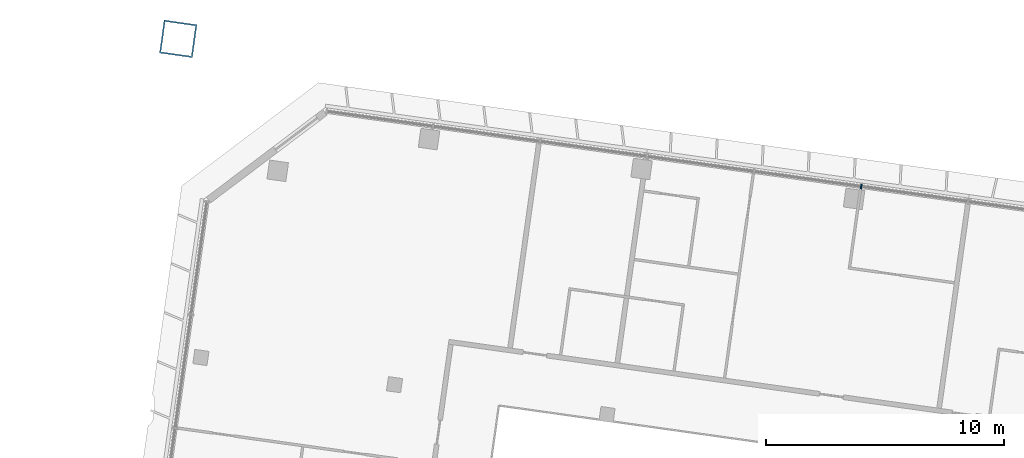
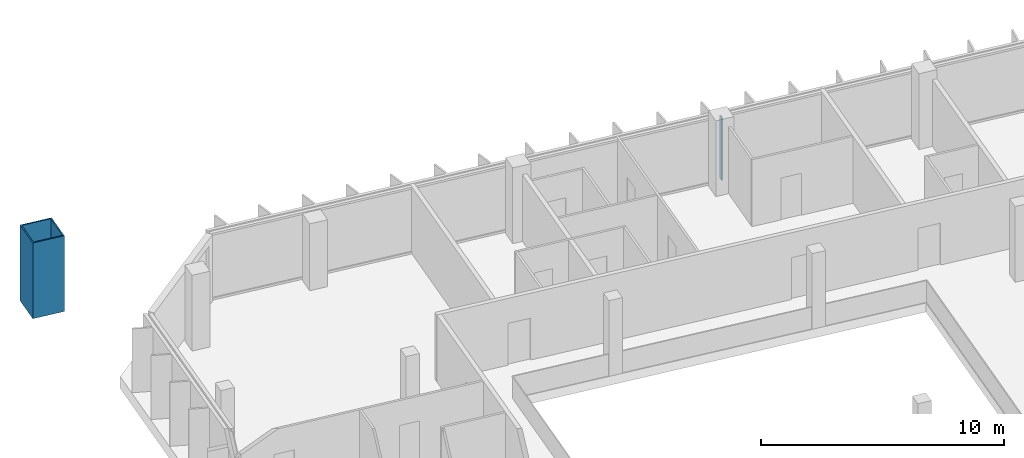
# One storey, part 3 of 25: 2 members, 1 element without a shape of its own.
"""IFC4 building model written with IfcOpenShell, lengths in metres."""

from ifc_helpers import new_model, si_unit, direction, frame, origin, origin_2d, place, context, subcontext, project, spatial, rectangle, hollow_rectangle, extrude, material, material_profile, profile_set, type_object, element, aggregate, save


model = new_model("IFC4")

# Units and contexts
model_context = context("Model", 3, precision=1e-05, world=origin(), true_north=direction((0.0, 1.0)))
body_context = subcontext(model_context, "Body", "Model", "MODEL_VIEW")
ifc_project = project(units=[si_unit("LENGTHUNIT", "METRE"), si_unit("AREAUNIT", "SQUARE_METRE"), si_unit("VOLUMEUNIT", "CUBIC_METRE"), si_unit("PLANEANGLEUNIT", "RADIAN"), si_unit("MASSUNIT", "GRAM", prefix="KILO")], contexts=[model_context])

# Site, building, storey
site_placement = place(None, origin())
site = spatial("IfcSite", under=ifc_project, at=site_placement, CompositionType="ELEMENT")
building_placement = place(site_placement, origin())
building = spatial("IfcBuilding", under=site, at=building_placement, Name="Mirante Cascada Hotel Towers", CompositionType="ELEMENT")
storey_placement = place(building_placement, frame((0.0, 0.0, 172.6)))
storey = spatial("IfcBuildingStorey", under=building, at=storey_placement, Name="L40", CompositionType="ELEMENT", Elevation=172.6)

# Member
ifc_material_1 = material(Name="Steel ASTM A572 Gr 50", Category="steel")
ifc_material_profile_1 = material_profile(ifc_material_1, hollow_rectangle(XDim=1.4, YDim=1.4, WallThickness=0.06, at=origin_2d()), Name="Box post 1400x1400x60 ASTM A572 Gr 50")
ifc_profile_set_1 = profile_set([ifc_material_profile_1], Name="Steel ASTM A572 Gr 50")
member_type_1 = type_object("IfcMemberType", Name="Box post 1400x1400x60 ASTM A572 Gr 50", PredefinedType="POST", material=ifc_profile_set_1)
member_1_placement = place(storey_placement, frame((-91.4448, 27.8419, 0.0), z_axis=(0.0, 0.0, 1.0), x_axis=(-0.9902681, 0.1391731, 0.0)))
element("IfcMember", 1, at=member_1_placement, inside=storey, type_object=member_type_1, Name="Mega column MP3 T1 L40", PredefinedType="POST", context=body_context, shape_type="SweptSolid", body=[
    extrude(hollow_rectangle(XDim=1.4, YDim=1.4, WallThickness=0.06, at=origin_2d()), origin(), (0.0, 0.0, 1.0), 3.8),
])

# Curtain wall, member
ifc_material_2 = material(Name="Aluminium mullion and transom frame with clear laminated glass", Category="aluminium")
curtain_wall_type = type_object("IfcCurtainWallType", Name="Ribbon curtain wall ECW1", PredefinedType="NOTDEFINED", material=ifc_material_2)
curtain_wall_placement = place(storey_placement, origin())
curtain_wall = element("IfcCurtainWall", 2, at=curtain_wall_placement, inside=storey, type_object=curtain_wall_type, Name="Front ribbon wall T1 L40", PredefinedType="NOTDEFINED")
ifc_material_3 = material(Name="Anodised aluminium extrusion", Category="aluminium")
ifc_material_profile_2 = material_profile(ifc_material_3, rectangle(XDim=0.2, YDim=0.065, at=origin_2d()), Name="ECW1 MULLION 65x200")
ifc_profile_set_2 = profile_set([ifc_material_profile_2], Name="Anodised aluminium extrusion")
member_type_2 = type_object("IfcMemberType", Name="ECW1 mullion 65x200", PredefinedType="MULLION", material=ifc_profile_set_2)
member_2_placement = place(storey_placement, frame((-62.8069, 21.646, 0.1), z_axis=(0.0, 0.0, 1.0), x_axis=(0.1391731, 0.9902681, 0.0)))
member_2 = element("IfcMember", 3, at=member_2_placement, type_object=member_type_2, Name="ECW1 mullion 6", PredefinedType="MULLION", context=body_context, shape_type="SweptSolid", body=[
    extrude(rectangle(XDim=0.2, YDim=0.065, at=origin_2d()), origin(), (0.0, 0.0, 1.0), 3.15),
])
aggregate(curtain_wall, [member_2])

save(model, "model.ifc")
